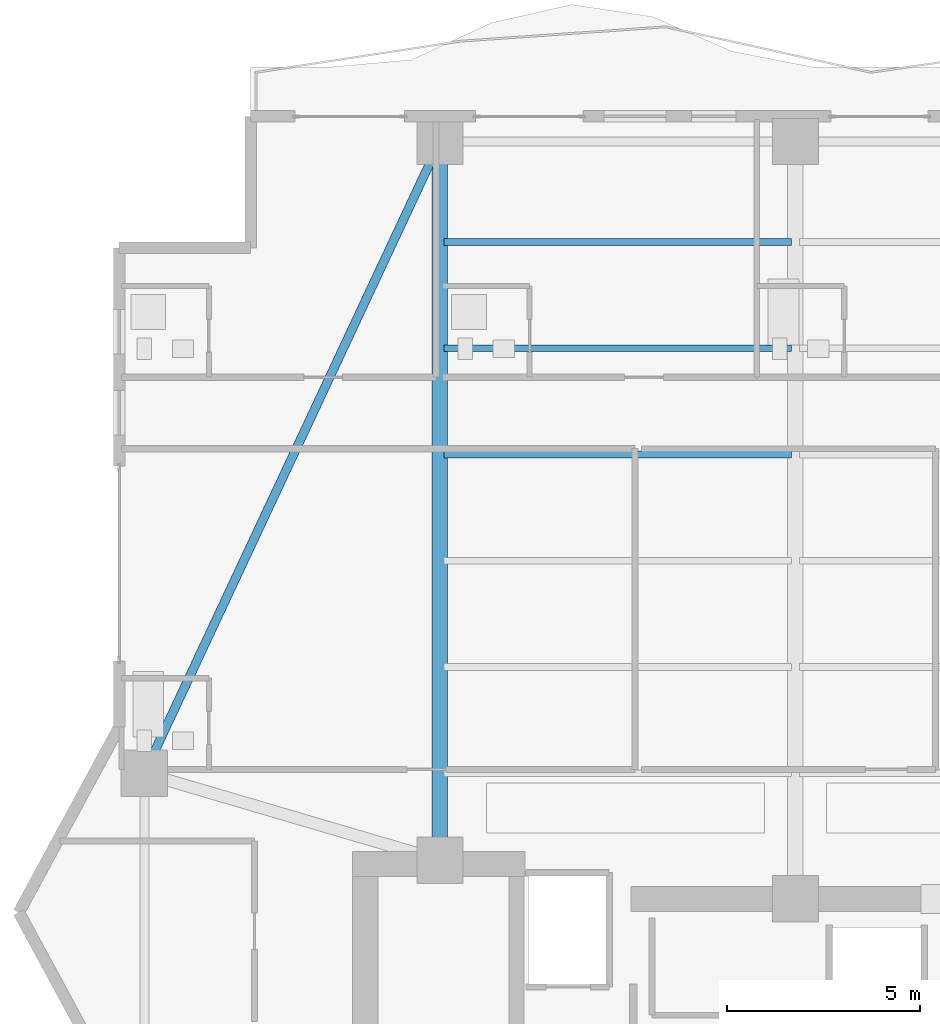
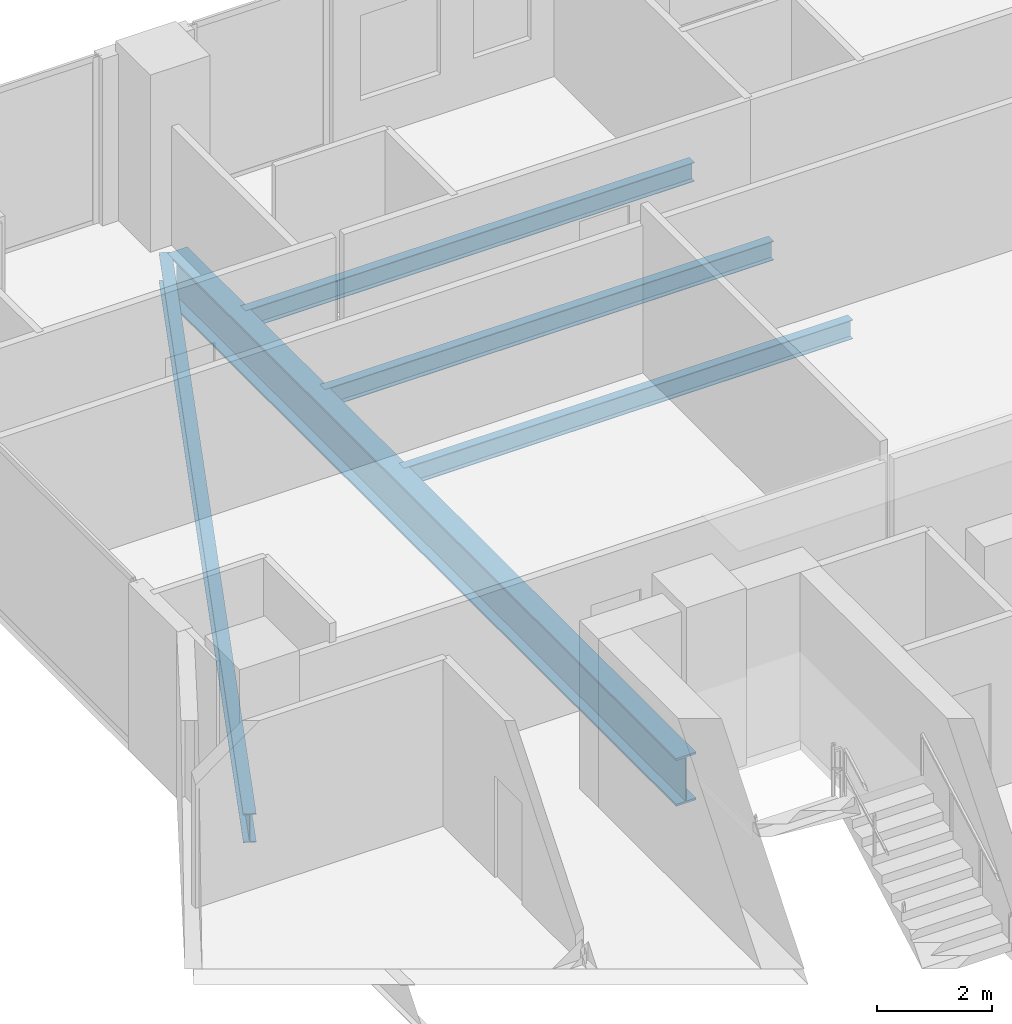
# One storey, part 16 of 32: 5 beams.
"""IFC4 building model written with IfcOpenShell, lengths in metres."""

import ifcopenshell
import ifcopenshell.guid

model = None  # the IFC model being written
_history = None  # IfcOwnerHistory: only IFC2X3 demands one
_inside = {}  # id of a spatial element -> (the spatial element, [elements in it])
_under = {}  # id of a project, library or spatial element -> (it, [spatial elements below it])
_declared = {}  # id of a project -> (the project, [libraries it declares])
_typed = {}  # id of a type object -> (the type object, [elements of that type])
_made_of = {}  # id of a material, layer set ... -> (it, [elements and type objects made of it])


def new_model(schema):
    """Start an empty IFC model of exactly this schema.

    Asked for "IFC4X3", IfcOpenShell would pick the latest addendum, in which some entities
    have other attributes; the version numbers below select the first issue.
    IFC2X3 requires an IfcOwnerHistory on every rooted entity: one is made here for all.
    """
    global model, _history
    if schema == "IFC4X3":
        model = ifcopenshell.file(schema_version=(4, 3, 0, 0))
    else:
        model = ifcopenshell.file(schema=schema)
    _inside.clear()
    _under.clear()
    _declared.clear()
    _typed.clear()
    _made_of.clear()
    _history = None
    if model.schema == "IFC2X3":
        org = make("IfcOrganization", Name="unknown")
        user = make(
            "IfcPersonAndOrganization",
            ThePerson=make("IfcPerson", FamilyName="unknown"),
            TheOrganization=org,
        )
        app = make(
            "IfcApplication",
            ApplicationDeveloper=org,
            Version="unknown",
            ApplicationFullName="unknown",
            ApplicationIdentifier="unknown",
        )
        _history = make(
            "IfcOwnerHistory",
            OwningUser=user,
            OwningApplication=app,
            ChangeAction="ADDED",
            CreationDate=0,
        )
    return model


def make(cls, **values):
    """One entity of the class cls with the attributes given. An attribute that is None is left unset."""
    return model.create_entity(
        cls, **{name: value for name, value in values.items() if value is not None}
    )


def rooted(cls, **values):
    """An entity with a GlobalId (a new one), such as an element, a storey or a relation."""
    return make(cls, GlobalId=ifcopenshell.guid.new(), OwnerHistory=_history, **values)


def si_unit(unit_type, name, prefix=None):
    """IfcSIUnit, for example si_unit("LENGTHUNIT", "METRE", prefix="MILLI")."""
    return make("IfcSIUnit", UnitType=unit_type, Prefix=prefix, Name=name)


def assignment(units):
    """IfcUnitAssignment: the units of a project."""
    return None if units is None else make("IfcUnitAssignment", Units=units)


def point(xyz):
    """IfcCartesianPoint."""
    return None if xyz is None else make("IfcCartesianPoint", Coordinates=xyz)


def direction(xyz):
    """IfcDirection."""
    return None if xyz is None else make("IfcDirection", DirectionRatios=xyz)


def frame(location, z_axis=None, x_axis=None):
    """IfcAxis2Placement3D, a coordinate frame: its origin and axes. An axis left out is left unset."""
    return make(
        "IfcAxis2Placement3D",
        Location=point(location),
        Axis=direction(z_axis),
        RefDirection=direction(x_axis),
    )


def frame_2d(location, x_axis=None):
    """IfcAxis2Placement2D, a coordinate frame in the plane: its origin and x axis."""
    return make(
        "IfcAxis2Placement2D", Location=point(location), RefDirection=direction(x_axis)
    )


def origin():
    """The frame at (0, 0, 0) with its axes left unset."""
    return frame((0.0, 0.0, 0.0))


def origin_2d():
    """The frame at (0, 0) in the plane with its x axis left unset."""
    return frame_2d((0.0, 0.0))


def place(relative_to, where):
    """IfcLocalPlacement: puts the frame where relative to a parent placement (None: the world)."""
    return make(
        "IfcLocalPlacement", PlacementRelTo=relative_to, RelativePlacement=where
    )


def context(
    kind, dimensions, precision=None, world=None, true_north=None, identifier=None
):
    """IfcGeometricRepresentationContext, for example the 3D "Model" context."""
    return make(
        "IfcGeometricRepresentationContext",
        ContextIdentifier=identifier,
        ContextType=kind,
        CoordinateSpaceDimension=dimensions,
        Precision=precision,
        WorldCoordinateSystem=world,
        TrueNorth=true_north,
    )


def subcontext(parent, identifier, kind, view, scale=None):
    """IfcGeometricRepresentationSubContext, for example "Body" below "Model"."""
    return make(
        "IfcGeometricRepresentationSubContext",
        ContextIdentifier=identifier,
        ContextType=kind,
        ParentContext=parent,
        TargetScale=scale,
        TargetView=view,
    )


def project(units=None, contexts=None):
    """IfcProject with its units and contexts."""
    return rooted(
        "IfcProject",
        Name="project",
        RepresentationContexts=contexts,
        UnitsInContext=assignment(units),
    )


def spatial(cls, under=None, at=None, **own):
    """A site, building, storey or space (cls), placed at a placement, below another one or the project."""
    s = rooted(cls, ObjectPlacement=at, **own)
    if under is not None:
        _under.setdefault(under.id(), (under, []))[1].append(s)
    return s


def profile(cls, at=None, kind="AREA", **sizes):
    """A parametric profile (cls). Its sizes go by their IFC names, for example OverallWidth=200.0."""
    return make(cls, ProfileType=kind, Position=at, **sizes)


def i_section(**sizes):
    """IfcIShapeProfileDef."""
    return profile("IfcIShapeProfileDef", **sizes)


def extrude(swept, where, along, depth):
    """IfcExtrudedAreaSolid: the profile swept, set in the frame where, extruded along a direction by depth."""
    return make(
        "IfcExtrudedAreaSolid",
        SweptArea=swept,
        Position=where,
        ExtrudedDirection=direction(along),
        Depth=depth,
    )


def shape(context_of_items, identifier, shape_type, items):
    """IfcShapeRepresentation: the items that make up one representation, for example the "Body"."""
    return make(
        "IfcShapeRepresentation",
        ContextOfItems=context_of_items,
        RepresentationIdentifier=identifier,
        RepresentationType=shape_type,
        Items=items,
    )


def material(Name=None, Category=None):
    """IfcMaterial."""
    return make("IfcMaterial", Name=Name, Category=Category)


def material_profile(
    of_material, cross_section, Name=None, Category=None, Priority=None
):
    """IfcMaterialProfile: a cross section and its material."""
    return make(
        "IfcMaterialProfile",
        Name=Name,
        Material=of_material,
        Profile=cross_section,
        Priority=Priority,
        Category=Category,
    )


def profile_set(profiles, Name=None, composite=None):
    """IfcMaterialProfileSet."""
    return make(
        "IfcMaterialProfileSet",
        Name=Name,
        MaterialProfiles=profiles,
        CompositeProfile=composite,
    )


def made_of(thing, what):
    """Note that an element or type object is made of a material, layer set ...; save() writes the relation."""
    if what is not None:
        _made_of.setdefault(what.id(), (what, []))[1].append(thing)
    return thing


def type_object(cls, material=None, **own):
    """A type object (cls), such as IfcWallType, which elements share."""
    return made_of(rooted(cls, **own), material)


def element(
    cls,
    number,
    at=None,
    inside=None,
    cuts=None,
    type_object=None,
    material=None,
    context=None,
    identifier="Body",
    shape_type=None,
    held_by="IfcProductDefinitionShape",
    body=None,
    shapes=None,
    **own,
):
    """One element of the class cls, such as IfcWall. Its Tag is "e" and its number.

    at: its placement. inside: the storey or other place that contains it. cuts: it is an
    opening in that element (IfcRelVoidsElement). A single representation is given by context,
    identifier, shape_type and body (its items); several are given by shapes. held_by: the class
    of the entity that holds the representations. save() writes the other relations.
    """
    e = rooted(cls, Tag="e%d" % number, ObjectPlacement=at, **own)
    if body is not None:
        shapes = [shape(context, identifier, shape_type, body)]
    if shapes is not None:
        e.Representation = make(held_by, Representations=shapes)
    if inside is not None:
        _inside.setdefault(inside.id(), (inside, []))[1].append(e)
    if cuts is not None:
        rooted(
            "IfcRelVoidsElement", RelatingBuildingElement=cuts, RelatedOpeningElement=e
        )
    if type_object is not None:
        _typed.setdefault(type_object.id(), (type_object, []))[1].append(e)
    return made_of(e, material)


def aggregate(whole, parts):
    """IfcRelAggregates: a whole, such as a stair, and the parts it consists of."""
    return rooted("IfcRelAggregates", RelatingObject=whole, RelatedObjects=parts)


def save(model, path):
    """Write the relations noted so far, then the file.

    IfcRelAggregates (storeys below a building ...), IfcRelContainedInSpatialStructure (elements
    in a storey), IfcRelDefinesByType, IfcRelAssociatesMaterial and IfcRelDeclares: one each for
    every whole, place, type object, material and project.
    """
    for whole, parts in _under.values():
        aggregate(whole, parts)
    for where, things in _inside.values():
        rooted(
            "IfcRelContainedInSpatialStructure",
            RelatedElements=things,
            RelatingStructure=where,
        )
    for kind, things in _typed.values():
        rooted("IfcRelDefinesByType", RelatedObjects=things, RelatingType=kind)
    for what, things in _made_of.values():
        rooted("IfcRelAssociatesMaterial", RelatedObjects=things, RelatingMaterial=what)
    for by, libraries in _declared.values():
        rooted("IfcRelDeclares", RelatingContext=by, RelatedDefinitions=libraries)
    model.write(path)


model = new_model("IFC4")

# Units and contexts
model_context = context("Model", 3, precision=1e-05, world=origin(), true_north=direction((0.0, 1.0)))
body_context = subcontext(model_context, "Body", "Model", "MODEL_VIEW")
ifc_project = project(units=[si_unit("LENGTHUNIT", "METRE"), si_unit("AREAUNIT", "SQUARE_METRE"), si_unit("VOLUMEUNIT", "CUBIC_METRE"), si_unit("PLANEANGLEUNIT", "RADIAN"), si_unit("MASSUNIT", "GRAM", prefix="KILO")], contexts=[model_context])

# Site, building, storey
site_placement = place(None, origin())
site = spatial("IfcSite", under=ifc_project, at=site_placement, CompositionType="ELEMENT")
building_placement = place(site_placement, origin())
building = spatial("IfcBuilding", under=site, at=building_placement, Name="Zuhayl Quay Hotel", CompositionType="ELEMENT")
storey_placement = place(building_placement, frame((0.0, 0.0, 196.14990234375)))
storey = spatial("IfcBuildingStorey", under=building, at=storey_placement, Name="L49", CompositionType="ELEMENT", Elevation=196.14990234375)

# Beams
ifc_material = material(Name="Steel ASTM A992 Grade 50", Category="steel")
ifc_material_profile_1 = material_profile(ifc_material, i_section(OverallWidth=0.22802734375, OverallDepth=0.60693359375, WebThickness=0.01123046875, FlangeThickness=0.017333984375, at=origin_2d()), Name="W24X76")
ifc_profile_set_1 = profile_set([ifc_material_profile_1], Name="Steel ASTM A992 Grade 50")
beam_type_1 = type_object("IfcBeamType", Name="BM_B3_W24X76", PredefinedType="BEAM", material=ifc_profile_set_1)
beam_1_placement = place(storey_placement, frame((-14.011962890625, 32.4970703125, -0.5234375), z_axis=(-0.423792164429, -0.905759461098, 0.0), x_axis=(0.905759461098, -0.423792164429, 0.0)))
element("IfcBeam", 1, at=beam_1_placement, inside=storey, type_object=beam_type_1, Name="L49 Floor Beam RG_L49_10", PredefinedType="BEAM", context=body_context, shape_type="SweptSolid", body=[
    extrude(i_section(OverallWidth=0.22802734375, OverallDepth=0.60693359375, WebThickness=0.01123046875, FlangeThickness=0.017333984375, at=origin_2d()), origin(), (0.0, 0.0, 1.0), 17.051025390625),
])
ifc_material_profile_2 = material_profile(ifc_material, i_section(OverallWidth=0.177978515625, OverallDepth=0.406005859375, WebThickness=0.0078125, FlangeThickness=0.0126953125, at=origin_2d()), Name="W16X40")
ifc_profile_set_2 = profile_set([ifc_material_profile_2], Name="Steel ASTM A992 Grade 50")
beam_type_2 = type_object("IfcBeamType", Name="BM_J2B_W16X40", PredefinedType="JOIST", material=ifc_profile_set_2)
for number, where, z_axis, x_axis, name in (
    (2, (-13.694091796875, 24.85009765625, -0.4228515625), (1.0, 0.0, 0.0), (0.0, 1.0, 0.0), "L49 Floor Beam FJ_L49_4_1"),
    (3, (-13.694091796875, 27.60009765625, -0.4228515625), (1.0, 0.0, 0.0), (0.0, 1.0, 0.0), "L49 Floor Beam FJ_L49_5_1"),
    (4, (-13.694091796875, 30.35009765625, -0.4228515625), (1.0, 0.0, 0.0), (0.0, 1.0, 0.0), "L49 Floor Beam FJ_L49_6_1"),
):
    element("IfcBeam", number, at=place(storey_placement, frame(where, z_axis=z_axis, x_axis=x_axis)), inside=storey, type_object=beam_type_2, Name=name, PredefinedType="JOIST", context=body_context, shape_type="SweptSolid", body=[
        extrude(i_section(OverallWidth=0.177978515625, OverallDepth=0.406005859375, WebThickness=0.0078125, FlangeThickness=0.0126953125, at=origin_2d()), origin(), (0.0, 0.0, 1.0), 8.988037109375),
    ])
ifc_material_profile_3 = material_profile(ifc_material, i_section(OverallWidth=0.40087890625, OverallDepth=1.010986328125, WebThickness=0.023681640625, FlangeThickness=0.0419921875, at=origin_2d()), Name="W40X297")
ifc_profile_set_3 = profile_set([ifc_material_profile_3], Name="Steel ASTM A992 Grade 50")
beam_type_3 = type_object("IfcBeamType", Name="BM_TG2_W40X297", PredefinedType="BEAM", material=ifc_profile_set_3)
beam_2_placement = place(storey_placement, frame((-13.800048828125, 14.800048828125, -0.725341796875), z_axis=(0.0, 1.0, 0.0), x_axis=(-1.0, 0.0, 0.0)))
element("IfcBeam", 5, at=beam_2_placement, inside=storey, type_object=beam_type_3, Name="L49 Floor Beam FG_N_L49_1", PredefinedType="BEAM", context=body_context, shape_type="SweptSolid", body=[
    extrude(i_section(OverallWidth=0.40087890625, OverallDepth=1.010986328125, WebThickness=0.023681640625, FlangeThickness=0.0419921875, at=origin_2d()), origin(), (0.0, 0.0, 1.0), 17.64990234375),
])

save(model, "model.ifc")
